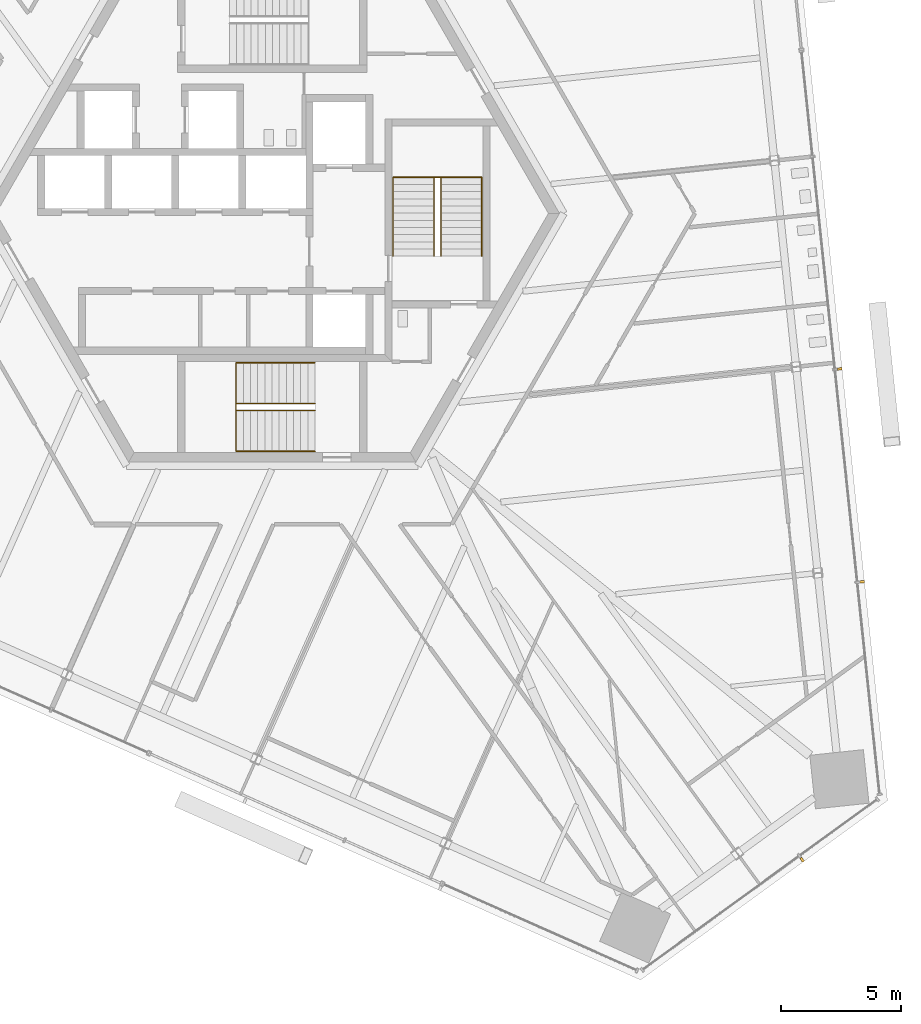
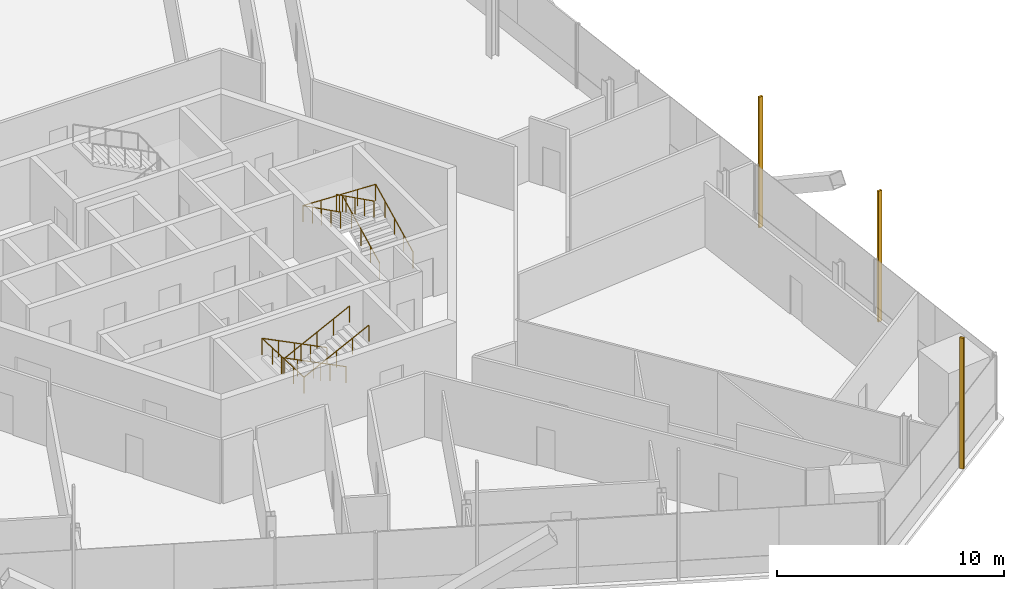
# One storey, part 16 of 21: 4 railings, 3 shading devices.
"""IFC4 building model written with IfcOpenShell, lengths in metres."""

import ifcopenshell
import ifcopenshell.guid

model = None  # the IFC model being written
_history = None  # IfcOwnerHistory: only IFC2X3 demands one
_inside = {}  # id of a spatial element -> (the spatial element, [elements in it])
_under = {}  # id of a project, library or spatial element -> (it, [spatial elements below it])
_declared = {}  # id of a project -> (the project, [libraries it declares])
_typed = {}  # id of a type object -> (the type object, [elements of that type])
_made_of = {}  # id of a material, layer set ... -> (it, [elements and type objects made of it])


def new_model(schema):
    """Start an empty IFC model of exactly this schema.

    Asked for "IFC4X3", IfcOpenShell would pick the latest addendum, in which some entities
    have other attributes; the version numbers below select the first issue.
    IFC2X3 requires an IfcOwnerHistory on every rooted entity: one is made here for all.
    """
    global model, _history
    if schema == "IFC4X3":
        model = ifcopenshell.file(schema_version=(4, 3, 0, 0))
    else:
        model = ifcopenshell.file(schema=schema)
    _inside.clear()
    _under.clear()
    _declared.clear()
    _typed.clear()
    _made_of.clear()
    _history = None
    if model.schema == "IFC2X3":
        org = make("IfcOrganization", Name="unknown")
        user = make(
            "IfcPersonAndOrganization",
            ThePerson=make("IfcPerson", FamilyName="unknown"),
            TheOrganization=org,
        )
        app = make(
            "IfcApplication",
            ApplicationDeveloper=org,
            Version="unknown",
            ApplicationFullName="unknown",
            ApplicationIdentifier="unknown",
        )
        _history = make(
            "IfcOwnerHistory",
            OwningUser=user,
            OwningApplication=app,
            ChangeAction="ADDED",
            CreationDate=0,
        )
    return model


def make(cls, **values):
    """One entity of the class cls with the attributes given. An attribute that is None is left unset."""
    return model.create_entity(
        cls, **{name: value for name, value in values.items() if value is not None}
    )


def rooted(cls, **values):
    """An entity with a GlobalId (a new one), such as an element, a storey or a relation."""
    return make(cls, GlobalId=ifcopenshell.guid.new(), OwnerHistory=_history, **values)


def si_unit(unit_type, name, prefix=None):
    """IfcSIUnit, for example si_unit("LENGTHUNIT", "METRE", prefix="MILLI")."""
    return make("IfcSIUnit", UnitType=unit_type, Prefix=prefix, Name=name)


def assignment(units):
    """IfcUnitAssignment: the units of a project."""
    return None if units is None else make("IfcUnitAssignment", Units=units)


def point(xyz):
    """IfcCartesianPoint."""
    return None if xyz is None else make("IfcCartesianPoint", Coordinates=xyz)


def direction(xyz):
    """IfcDirection."""
    return None if xyz is None else make("IfcDirection", DirectionRatios=xyz)


def frame(location, z_axis=None, x_axis=None):
    """IfcAxis2Placement3D, a coordinate frame: its origin and axes. An axis left out is left unset."""
    return make(
        "IfcAxis2Placement3D",
        Location=point(location),
        Axis=direction(z_axis),
        RefDirection=direction(x_axis),
    )


def frame_2d(location, x_axis=None):
    """IfcAxis2Placement2D, a coordinate frame in the plane: its origin and x axis."""
    return make(
        "IfcAxis2Placement2D", Location=point(location), RefDirection=direction(x_axis)
    )


def origin():
    """The frame at (0, 0, 0) with its axes left unset."""
    return frame((0.0, 0.0, 0.0))


def origin_2d():
    """The frame at (0, 0) in the plane with its x axis left unset."""
    return frame_2d((0.0, 0.0))


def place(relative_to, where):
    """IfcLocalPlacement: puts the frame where relative to a parent placement (None: the world)."""
    return make(
        "IfcLocalPlacement", PlacementRelTo=relative_to, RelativePlacement=where
    )


def context(
    kind, dimensions, precision=None, world=None, true_north=None, identifier=None
):
    """IfcGeometricRepresentationContext, for example the 3D "Model" context."""
    return make(
        "IfcGeometricRepresentationContext",
        ContextIdentifier=identifier,
        ContextType=kind,
        CoordinateSpaceDimension=dimensions,
        Precision=precision,
        WorldCoordinateSystem=world,
        TrueNorth=true_north,
    )


def subcontext(parent, identifier, kind, view, scale=None):
    """IfcGeometricRepresentationSubContext, for example "Body" below "Model"."""
    return make(
        "IfcGeometricRepresentationSubContext",
        ContextIdentifier=identifier,
        ContextType=kind,
        ParentContext=parent,
        TargetScale=scale,
        TargetView=view,
    )


def project(units=None, contexts=None):
    """IfcProject with its units and contexts."""
    return rooted(
        "IfcProject",
        Name="project",
        RepresentationContexts=contexts,
        UnitsInContext=assignment(units),
    )


def spatial(cls, under=None, at=None, **own):
    """A site, building, storey or space (cls), placed at a placement, below another one or the project."""
    s = rooted(cls, ObjectPlacement=at, **own)
    if under is not None:
        _under.setdefault(under.id(), (under, []))[1].append(s)
    return s


def profile(cls, at=None, kind="AREA", **sizes):
    """A parametric profile (cls). Its sizes go by their IFC names, for example OverallWidth=200.0."""
    return make(cls, ProfileType=kind, Position=at, **sizes)


def rectangle(**sizes):
    """IfcRectangleProfileDef."""
    return profile("IfcRectangleProfileDef", **sizes)


def circle(**sizes):
    """IfcCircleProfileDef."""
    return profile("IfcCircleProfileDef", **sizes)


def extrude(swept, where, along, depth):
    """IfcExtrudedAreaSolid: the profile swept, set in the frame where, extruded along a direction by depth."""
    return make(
        "IfcExtrudedAreaSolid",
        SweptArea=swept,
        Position=where,
        ExtrudedDirection=direction(along),
        Depth=depth,
    )


def shape(context_of_items, identifier, shape_type, items):
    """IfcShapeRepresentation: the items that make up one representation, for example the "Body"."""
    return make(
        "IfcShapeRepresentation",
        ContextOfItems=context_of_items,
        RepresentationIdentifier=identifier,
        RepresentationType=shape_type,
        Items=items,
    )


def source(mapping_origin, context_of_items, identifier, shape_type, items):
    """IfcRepresentationMap: a shape defined once, which mapped items show again and again."""
    return make(
        "IfcRepresentationMap",
        MappingOrigin=mapping_origin,
        MappedRepresentation=shape(context_of_items, identifier, shape_type, items),
    )


def transform(
    local_origin,
    x_axis=None,
    y_axis=None,
    z_axis=None,
    scale=None,
    scale2=None,
    scale3=None,
    uniform=True,
):
    """IfcCartesianTransformationOperator3D, or its non-uniform kind. x_axis, y_axis, z_axis: its Axis1, 2, 3."""
    if uniform:
        return make(
            "IfcCartesianTransformationOperator3D",
            Axis1=direction(x_axis),
            Axis2=direction(y_axis),
            LocalOrigin=point(local_origin),
            Scale=scale,
            Axis3=direction(z_axis),
        )
    return make(
        "IfcCartesianTransformationOperator3DnonUniform",
        Axis1=direction(x_axis),
        Axis2=direction(y_axis),
        LocalOrigin=point(local_origin),
        Scale=scale,
        Axis3=direction(z_axis),
        Scale2=scale2,
        Scale3=scale3,
    )


def mapped(mapping_source, mapping_target):
    """IfcMappedItem: shows the shape of a source again, moved by a transform."""
    return make(
        "IfcMappedItem", MappingSource=mapping_source, MappingTarget=mapping_target
    )


def material(Name=None, Category=None):
    """IfcMaterial."""
    return make("IfcMaterial", Name=Name, Category=Category)


def made_of(thing, what):
    """Note that an element or type object is made of a material, layer set ...; save() writes the relation."""
    if what is not None:
        _made_of.setdefault(what.id(), (what, []))[1].append(thing)
    return thing


def type_object(cls, material=None, **own):
    """A type object (cls), such as IfcWallType, which elements share."""
    return made_of(rooted(cls, **own), material)


def element(
    cls,
    number,
    at=None,
    inside=None,
    cuts=None,
    type_object=None,
    material=None,
    context=None,
    identifier="Body",
    shape_type=None,
    held_by="IfcProductDefinitionShape",
    body=None,
    shapes=None,
    **own,
):
    """One element of the class cls, such as IfcWall. Its Tag is "e" and its number.

    at: its placement. inside: the storey or other place that contains it. cuts: it is an
    opening in that element (IfcRelVoidsElement). A single representation is given by context,
    identifier, shape_type and body (its items); several are given by shapes. held_by: the class
    of the entity that holds the representations. save() writes the other relations.
    """
    e = rooted(cls, Tag="e%d" % number, ObjectPlacement=at, **own)
    if body is not None:
        shapes = [shape(context, identifier, shape_type, body)]
    if shapes is not None:
        e.Representation = make(held_by, Representations=shapes)
    if inside is not None:
        _inside.setdefault(inside.id(), (inside, []))[1].append(e)
    if cuts is not None:
        rooted(
            "IfcRelVoidsElement", RelatingBuildingElement=cuts, RelatedOpeningElement=e
        )
    if type_object is not None:
        _typed.setdefault(type_object.id(), (type_object, []))[1].append(e)
    return made_of(e, material)


def aggregate(whole, parts):
    """IfcRelAggregates: a whole, such as a stair, and the parts it consists of."""
    return rooted("IfcRelAggregates", RelatingObject=whole, RelatedObjects=parts)


def save(model, path):
    """Write the relations noted so far, then the file.

    IfcRelAggregates (storeys below a building ...), IfcRelContainedInSpatialStructure (elements
    in a storey), IfcRelDefinesByType, IfcRelAssociatesMaterial and IfcRelDeclares: one each for
    every whole, place, type object, material and project.
    """
    for whole, parts in _under.values():
        aggregate(whole, parts)
    for where, things in _inside.values():
        rooted(
            "IfcRelContainedInSpatialStructure",
            RelatedElements=things,
            RelatingStructure=where,
        )
    for kind, things in _typed.values():
        rooted("IfcRelDefinesByType", RelatedObjects=things, RelatingType=kind)
    for what, things in _made_of.values():
        rooted("IfcRelAssociatesMaterial", RelatedObjects=things, RelatingMaterial=what)
    for by, libraries in _declared.values():
        rooted("IfcRelDeclares", RelatingContext=by, RelatedDefinitions=libraries)
    model.write(path)


model = new_model("IFC4")

# Units and contexts
model_context = context("Model", 3, precision=1e-05, world=origin(), true_north=direction((0.0, 1.0)))
body_context = subcontext(model_context, "Body", "Model", "MODEL_VIEW")
ifc_project = project(units=[si_unit("LENGTHUNIT", "METRE"), si_unit("AREAUNIT", "SQUARE_METRE"), si_unit("VOLUMEUNIT", "CUBIC_METRE"), si_unit("PLANEANGLEUNIT", "RADIAN"), si_unit("MASSUNIT", "GRAM", prefix="KILO")], contexts=[model_context])

# Site, building, storey
site_placement = place(None, origin())
site = spatial("IfcSite", under=ifc_project, at=site_placement, CompositionType="ELEMENT")
building_placement = place(site_placement, origin())
building = spatial("IfcBuilding", under=site, at=building_placement, Name="Triune Harvest Tower", CompositionType="ELEMENT")
storey_placement = place(building_placement, frame((0.0, 0.0, 80.10009765625)))
storey = spatial("IfcBuildingStorey", under=building, at=storey_placement, Name="L19", CompositionType="ELEMENT", Elevation=80.10009765625)

# Railings
ifc_material_1 = material(Name="Stainless steel AISI 316", Category="steel")
railing_type = type_object("IfcRailingType", Name="Stair handrail", PredefinedType="HANDRAIL", material=ifc_material_1)
shared_shape_1 = source(origin(), body_context, "Body", "SweptSolid", [
    extrude(circle(Radius=0.02392578125, at=origin_2d()), frame((0.0, 0.0, 0.8759765625), z_axis=(-0.894440424912, 0.0, 0.447187126696), x_axis=(0.0, -1.0, 0.0)), (0.0, 0.0, 1.0), 3.689453125),
    extrude(circle(Radius=0.02392578125, at=origin_2d()), frame((-3.300048828125, 0.0, 2.52587890625), z_axis=(0.0, -0.999177620331, 0.040547293732), x_axis=(1.0, 0.0, 0.0)), (0.0, 0.0, 1.0), 3.702880859375),
    extrude(circle(Radius=0.02392578125, at=origin_2d()), frame((-3.300048828125, -3.699951171875, 2.67578125), z_axis=(0.894440424912, 0.0, 0.447187126696), x_axis=(0.0, 1.0, 0.0)), (0.0, 0.0, 1.0), 3.689453125),
    extrude(circle(Radius=0.02099609375, at=origin_2d()), origin(), (0.0, 0.0, 1.0), 0.851806640625),
    extrude(circle(Radius=0.02099609375, at=origin_2d()), frame((-0.824951171875, 0.0, 0.41259765625)), (0.0, 0.0, 1.0), 0.851806640625),
    extrude(circle(Radius=0.02099609375, at=origin_2d()), frame((-1.64990234375, 0.0, 0.824951171875)), (0.0, 0.0, 1.0), 0.851806640625),
    extrude(circle(Radius=0.02099609375, at=origin_2d()), frame((-2.47509765625, 0.0, 1.2373046875)), (0.0, 0.0, 1.0), 0.851806640625),
    extrude(circle(Radius=0.02099609375, at=origin_2d()), frame((-3.300048828125, 0.0, 1.64990234375)), (0.0, 0.0, 1.0), 0.851806640625),
    extrude(circle(Radius=0.02099609375, at=origin_2d()), frame((-3.300048828125, -0.925048828125, 1.6875)), (0.0, 0.0, 1.0), 0.851806640625),
    extrude(circle(Radius=0.02099609375, at=origin_2d()), frame((-3.300048828125, -1.85009765625, 1.72509765625)), (0.0, 0.0, 1.0), 0.851806640625),
    extrude(circle(Radius=0.02099609375, at=origin_2d()), frame((-3.300048828125, -2.77490234375, 1.762451171875)), (0.0, 0.0, 1.0), 0.851806640625),
    extrude(circle(Radius=0.02099609375, at=origin_2d()), frame((-3.300048828125, -3.699951171875, 1.800048828125)), (0.0, 0.0, 1.0), 0.851806640625),
    extrude(circle(Radius=0.02099609375, at=origin_2d()), frame((-2.47509765625, -3.699951171875, 2.21240234375)), (0.0, 0.0, 1.0), 0.851806640625),
    extrude(circle(Radius=0.02099609375, at=origin_2d()), frame((-1.64990234375, -3.699951171875, 2.625)), (0.0, 0.0, 1.0), 0.851806640625),
    extrude(circle(Radius=0.02099609375, at=origin_2d()), frame((-0.824951171875, -3.699951171875, 3.03759765625)), (0.0, 0.0, 1.0), 0.851806640625),
    extrude(circle(Radius=0.02099609375, at=origin_2d()), frame((0.0, -3.699951171875, 3.449951171875)), (0.0, 0.0, 1.0), 0.851806640625),
])
railing_1_placement = place(storey_placement, frame((1.7900390625, -6.239990234375, 0.14990234375)))
element("IfcRailing", 1, at=railing_1_placement, inside=storey, type_object=railing_type, Name="Exit stair south wall handrail", PredefinedType="HANDRAIL", context=body_context, shape_type="MappedRepresentation", body=[
    mapped(shared_shape_1, transform((0.0, 0.0, 0.0), scale=1.0)),
])
shared_shape_2 = source(origin(), body_context, "Body", "SweptSolid", [
    extrude(circle(Radius=0.02392578125, at=origin_2d()), frame((0.0, 0.0, 0.8759765625), z_axis=(-0.894440424912, 0.0, 0.447187126696), x_axis=(0.0, -1.0, 0.0)), (0.0, 0.0, 1.0), 3.689453125),
    extrude(circle(Radius=0.02392578125, at=origin_2d()), frame((-3.300048828125, 0.0, 2.52587890625), z_axis=(0.0, -0.894281613681, 0.447504631744), x_axis=(1.0, 0.0, 0.0)), (0.0, 0.0, 1.0), 0.33544921875),
    extrude(circle(Radius=0.02392578125, at=origin_2d()), frame((-3.300048828125, -0.300048828125, 2.67578125), z_axis=(0.894440424912, 0.0, 0.447187126696), x_axis=(0.0, 1.0, 0.0)), (0.0, 0.0, 1.0), 3.689453125),
    extrude(circle(Radius=0.02099609375, at=origin_2d()), origin(), (0.0, 0.0, 1.0), 0.851806640625),
    extrude(circle(Radius=0.02099609375, at=origin_2d()), frame((-0.824951171875, 0.0, 0.41259765625)), (0.0, 0.0, 1.0), 0.851806640625),
    extrude(circle(Radius=0.02099609375, at=origin_2d()), frame((-1.64990234375, 0.0, 0.824951171875)), (0.0, 0.0, 1.0), 0.851806640625),
    extrude(circle(Radius=0.02099609375, at=origin_2d()), frame((-2.47509765625, 0.0, 1.2373046875)), (0.0, 0.0, 1.0), 0.851806640625),
    extrude(circle(Radius=0.02099609375, at=origin_2d()), frame((-3.300048828125, 0.0, 1.64990234375)), (0.0, 0.0, 1.0), 0.851806640625),
    extrude(circle(Radius=0.02099609375, at=origin_2d()), frame((-3.300048828125, -0.300048828125, 1.800048828125)), (0.0, 0.0, 1.0), 0.851806640625),
    extrude(circle(Radius=0.02099609375, at=origin_2d()), frame((-2.47509765625, -0.300048828125, 2.21240234375)), (0.0, 0.0, 1.0), 0.851806640625),
    extrude(circle(Radius=0.02099609375, at=origin_2d()), frame((-1.64990234375, -0.300048828125, 2.625)), (0.0, 0.0, 1.0), 0.851806640625),
    extrude(circle(Radius=0.02099609375, at=origin_2d()), frame((-0.824951171875, -0.300048828125, 3.03759765625)), (0.0, 0.0, 1.0), 0.851806640625),
    extrude(circle(Radius=0.02099609375, at=origin_2d()), frame((0.0, -0.300048828125, 3.449951171875)), (0.0, 0.0, 1.0), 0.851806640625),
])
railing_2_placement = place(storey_placement, frame((1.7900390625, -7.93994140625, 0.14990234375)))
element("IfcRailing", 2, at=railing_2_placement, inside=storey, type_object=railing_type, Name="Exit stair south centre handrail", PredefinedType="HANDRAIL", context=body_context, shape_type="MappedRepresentation", body=[
    mapped(shared_shape_2, transform((0.0, 0.0, 0.0), scale=1.0)),
])
shared_shape_3 = source(origin(), body_context, "Body", "SweptSolid", [
    extrude(circle(Radius=0.02392578125, at=origin_2d()), frame((0.0, 0.0, 0.8759765625), z_axis=(0.0, 0.894440424912, 0.447187126696), x_axis=(-1.0, 0.0, 0.0)), (0.0, 0.0, 1.0), 3.689453125),
    extrude(circle(Radius=0.02392578125, at=origin_2d()), frame((0.0, 3.300048828125, 2.52587890625), z_axis=(-0.999177620331, 0.0, 0.040547293732), x_axis=(0.0, -1.0, 0.0)), (0.0, 0.0, 1.0), 3.702880859375),
    extrude(circle(Radius=0.02392578125, at=origin_2d()), frame((-3.699951171875, 3.300048828125, 2.67578125), z_axis=(0.0, -0.894440424912, 0.447187126696), x_axis=(1.0, 0.0, 0.0)), (0.0, 0.0, 1.0), 3.689453125),
    extrude(circle(Radius=0.02099609375, at=origin_2d()), origin(), (0.0, 0.0, 1.0), 0.851806640625),
    extrude(circle(Radius=0.02099609375, at=origin_2d()), frame((0.0, 0.824951171875, 0.41259765625)), (0.0, 0.0, 1.0), 0.851806640625),
    extrude(circle(Radius=0.02099609375, at=origin_2d()), frame((0.0, 1.64990234375, 0.824951171875)), (0.0, 0.0, 1.0), 0.851806640625),
    extrude(circle(Radius=0.02099609375, at=origin_2d()), frame((0.0, 2.47509765625, 1.2373046875)), (0.0, 0.0, 1.0), 0.851806640625),
    extrude(circle(Radius=0.02099609375, at=origin_2d()), frame((0.0, 3.300048828125, 1.64990234375)), (0.0, 0.0, 1.0), 0.851806640625),
    extrude(circle(Radius=0.02099609375, at=origin_2d()), frame((-0.925048828125, 3.300048828125, 1.6875)), (0.0, 0.0, 1.0), 0.851806640625),
    extrude(circle(Radius=0.02099609375, at=origin_2d()), frame((-1.85009765625, 3.300048828125, 1.72509765625)), (0.0, 0.0, 1.0), 0.851806640625),
    extrude(circle(Radius=0.02099609375, at=origin_2d()), frame((-2.77490234375, 3.300048828125, 1.762451171875)), (0.0, 0.0, 1.0), 0.851806640625),
    extrude(circle(Radius=0.02099609375, at=origin_2d()), frame((-3.699951171875, 3.300048828125, 1.800048828125)), (0.0, 0.0, 1.0), 0.851806640625),
    extrude(circle(Radius=0.02099609375, at=origin_2d()), frame((-3.699951171875, 2.47509765625, 2.21240234375)), (0.0, 0.0, 1.0), 0.851806640625),
    extrude(circle(Radius=0.02099609375, at=origin_2d()), frame((-3.699951171875, 1.64990234375, 2.625)), (0.0, 0.0, 1.0), 0.851806640625),
    extrude(circle(Radius=0.02099609375, at=origin_2d()), frame((-3.699951171875, 0.824951171875, 3.03759765625)), (0.0, 0.0, 1.0), 0.851806640625),
    extrude(circle(Radius=0.02099609375, at=origin_2d()), frame((-3.699951171875, 0.0, 3.449951171875)), (0.0, 0.0, 1.0), 0.851806640625),
])
railing_3_placement = place(storey_placement, frame((8.75, -1.7900390625, 0.14990234375)))
element("IfcRailing", 3, at=railing_3_placement, inside=storey, type_object=railing_type, Name="Exit stair east wall handrail", PredefinedType="HANDRAIL", context=body_context, shape_type="MappedRepresentation", body=[
    mapped(shared_shape_3, transform((0.0, 0.0, 0.0), scale=1.0)),
])
shared_shape_4 = source(origin(), body_context, "Body", "SweptSolid", [
    extrude(circle(Radius=0.02392578125, at=origin_2d()), frame((0.0, 0.0, 0.8759765625), z_axis=(0.0, 0.894440424912, 0.447187126696), x_axis=(-1.0, 0.0, 0.0)), (0.0, 0.0, 1.0), 3.689453125),
    extrude(circle(Radius=0.02392578125, at=origin_2d()), frame((0.0, 3.300048828125, 2.52587890625), z_axis=(-0.894281613681, 0.0, 0.447504631744), x_axis=(0.0, -1.0, 0.0)), (0.0, 0.0, 1.0), 0.33544921875),
    extrude(circle(Radius=0.02392578125, at=origin_2d()), frame((-0.300048828125, 3.300048828125, 2.67578125), z_axis=(0.0, -0.894440424912, 0.447187126696), x_axis=(1.0, 0.0, 0.0)), (0.0, 0.0, 1.0), 3.689453125),
    extrude(circle(Radius=0.02099609375, at=origin_2d()), origin(), (0.0, 0.0, 1.0), 0.851806640625),
    extrude(circle(Radius=0.02099609375, at=origin_2d()), frame((0.0, 0.824951171875, 0.41259765625)), (0.0, 0.0, 1.0), 0.851806640625),
    extrude(circle(Radius=0.02099609375, at=origin_2d()), frame((0.0, 1.64990234375, 0.824951171875)), (0.0, 0.0, 1.0), 0.851806640625),
    extrude(circle(Radius=0.02099609375, at=origin_2d()), frame((0.0, 2.47509765625, 1.2373046875)), (0.0, 0.0, 1.0), 0.851806640625),
    extrude(circle(Radius=0.02099609375, at=origin_2d()), frame((0.0, 3.300048828125, 1.64990234375)), (0.0, 0.0, 1.0), 0.851806640625),
    extrude(circle(Radius=0.02099609375, at=origin_2d()), frame((-0.300048828125, 3.300048828125, 1.800048828125)), (0.0, 0.0, 1.0), 0.851806640625),
    extrude(circle(Radius=0.02099609375, at=origin_2d()), frame((-0.300048828125, 2.47509765625, 2.21240234375)), (0.0, 0.0, 1.0), 0.851806640625),
    extrude(circle(Radius=0.02099609375, at=origin_2d()), frame((-0.300048828125, 1.64990234375, 2.625)), (0.0, 0.0, 1.0), 0.851806640625),
    extrude(circle(Radius=0.02099609375, at=origin_2d()), frame((-0.300048828125, 0.824951171875, 3.03759765625)), (0.0, 0.0, 1.0), 0.851806640625),
    extrude(circle(Radius=0.02099609375, at=origin_2d()), frame((-0.300048828125, 0.0, 3.449951171875)), (0.0, 0.0, 1.0), 0.851806640625),
])
railing_4_placement = place(storey_placement, frame((7.050048828125, -1.7900390625, 0.14990234375)))
element("IfcRailing", 4, at=railing_4_placement, inside=storey, type_object=railing_type, Name="Exit stair east centre handrail", PredefinedType="HANDRAIL", context=body_context, shape_type="MappedRepresentation", body=[
    mapped(shared_shape_4, transform((0.0, 0.0, 0.0), scale=1.0)),
])

# Shading devices
ifc_material_2 = material(Name="Aluminium bronze anodised", Category="aluminium")
shared_shape_5 = source(origin(), body_context, "Body", "SweptSolid", [
    extrude(rectangle(XDim=0.10009765625, YDim=0.199951171875, at=origin_2d()), origin(), (0.0, 0.0, 1.0), 7.0400390625),
])
for number, where, z_axis, x_axis, name in (
    (5, (24.6416015625, -15.390869140625, 0.0), (0.0, 0.0, 1.0), (-0.104527536558, 0.994521992769, 0.0), "FN-1 fin B2-F1.3 L19"),
    (6, (23.706787109375, -6.498779296875, 0.0), (0.0, 0.0, 1.0), (-0.104527536558, 0.994521992769, 0.0), "FN-1 fin B2-F1.5 L19"),
    (7, (22.135986328125, -27.00244140625, 0.0), (0.0, 0.0, 1.0), (0.809013235692, 0.58779042564, 0.0), "FN-1 fin B2-F6.3 L19"),
):
    element("IfcShadingDevice", number, at=place(storey_placement, frame(where, z_axis=z_axis, x_axis=x_axis)), inside=storey, material=ifc_material_2, Name=name, ObjectType="FIN", PredefinedType="USERDEFINED", context=body_context, shape_type="MappedRepresentation", body=[
        mapped(shared_shape_5, transform((0.0, 0.0, 0.0), scale=1.0)),
    ])

save(model, "model.ifc")
